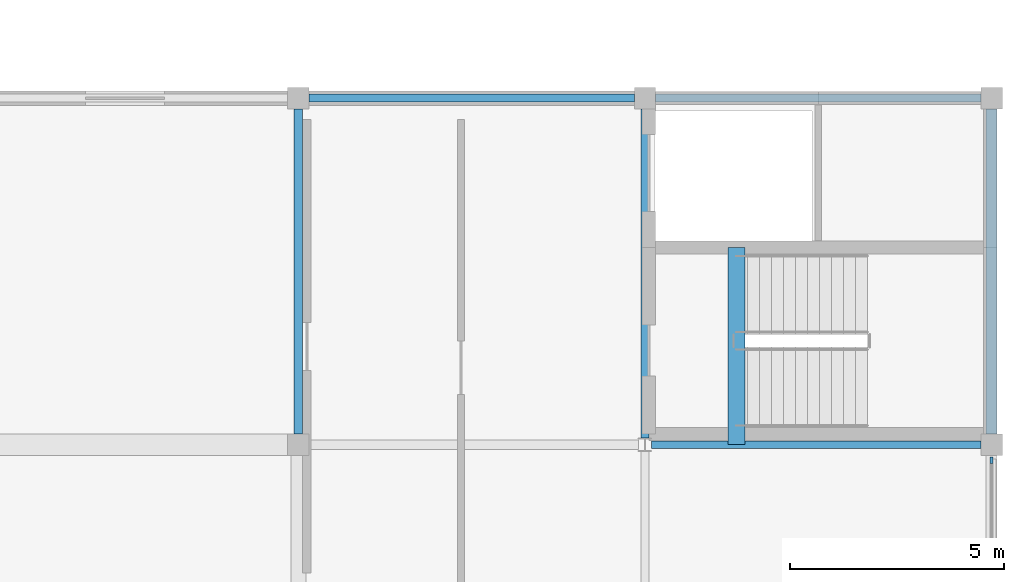
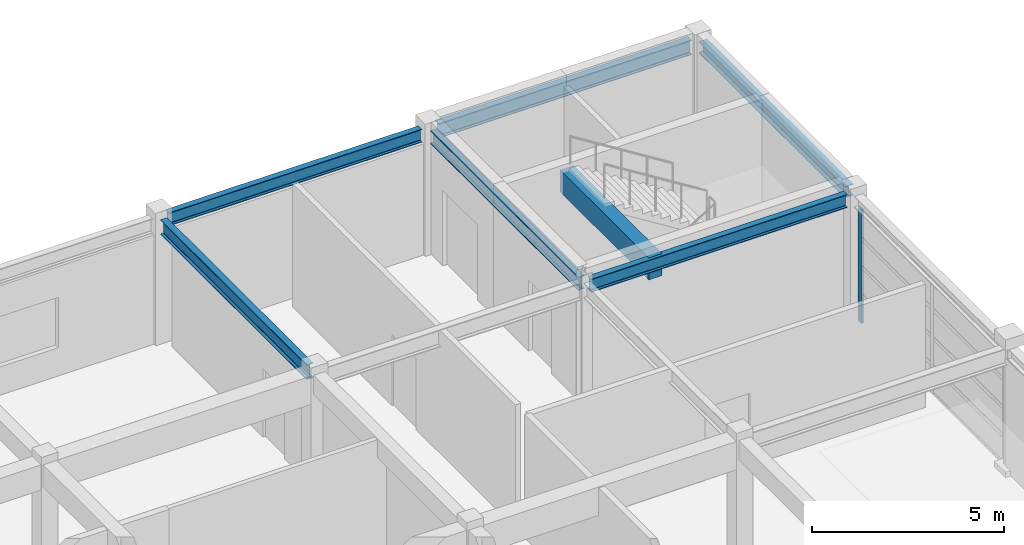
# One storey, part 34 of 54: 7 beams, 1 member, 1 element without a shape of its own.
"""IFC4 building model written with IfcOpenShell, lengths in metres."""

from ifc_helpers import new_model, si_unit, direction, frame, origin, origin_2d, place, context, subcontext, project, spatial, rectangle, i_section, extrude, material, material_profile, profile_set, type_object, element, aggregate, save


model = new_model("IFC4")

# Units and contexts
model_context = context("Model", 3, precision=1e-05, world=origin(), true_north=direction((0.0, 1.0)))
body_context = subcontext(model_context, "Body", "Model", "MODEL_VIEW")
ifc_project = project(units=[si_unit("LENGTHUNIT", "METRE"), si_unit("AREAUNIT", "SQUARE_METRE"), si_unit("VOLUMEUNIT", "CUBIC_METRE"), si_unit("PLANEANGLEUNIT", "RADIAN"), si_unit("MASSUNIT", "GRAM", prefix="KILO")], contexts=[model_context])

# Site, building, storey
site_placement = place(None, origin())
site = spatial("IfcSite", under=ifc_project, at=site_placement, CompositionType="ELEMENT")
building_placement = place(site_placement, origin())
building = spatial("IfcBuilding", under=site, at=building_placement, Name="Parian Resonance Hall", CompositionType="ELEMENT")
storey_placement = place(building_placement, frame((0.0, 0.0, 15.0)))
storey = spatial("IfcBuildingStorey", under=building, at=storey_placement, Name="L03", CompositionType="ELEMENT", Elevation=15.0)

# Beams
ifc_material_1 = material(Name="Concrete C40/50", Category="concrete")
ifc_material_profile_1 = material_profile(ifc_material_1, rectangle(XDim=0.39990234375, YDim=0.699951171875, at=origin_2d()), Name="RC-BM-400x700")
ifc_profile_set_1 = profile_set([ifc_material_profile_1], Name="Concrete C40/50")
beam_type_1 = type_object("IfcBeamType", Name="BM-RC400x700", PredefinedType="BEAM", material=ifc_profile_set_1)
beam_1_placement = place(storey_placement, frame((139.840087890625, 81.0, 3.60009765625), z_axis=(0.0, 1.0, 0.0), x_axis=(-1.0, 0.0, 0.0)))
element("IfcBeam", 1, at=beam_1_placement, inside=storey, type_object=beam_type_1, Name="Core K6 stair arrival trimmer beam L03", PredefinedType="BEAM", context=body_context, shape_type="SweptSolid", body=[
    extrude(rectangle(XDim=0.39990234375, YDim=0.699951171875, at=origin_2d()), origin(), (0.0, 0.0, 1.0), 4.610107421875),
])
ifc_material_2 = material(Name="Steel S355", Category="steel")
ifc_material_profile_2 = material_profile(ifc_material_2, i_section(OverallWidth=0.2548828125, OverallDepth=0.35693359375, WebThickness=0.010498046875, FlangeThickness=0.018310546875, FilletRadius=0.01513671875, at=origin_2d()), Name="W360x101")
ifc_profile_set_2 = profile_set([ifc_material_profile_2], Name="Steel S355")
beam_type_2 = type_object("IfcBeamType", Name="BM-W360x101", PredefinedType="SPANDREL", material=ifc_profile_set_2)
beam_2_placement = place(storey_placement, frame((145.800048828125, 81.25, 3.771484375), z_axis=(0.0, 1.0, 0.0), x_axis=(-1.0, 0.0, 0.0)))
element("IfcBeam", 2, at=beam_2_placement, inside=storey, type_object=beam_type_2, Name="GY-L03-0915", PredefinedType="SPANDREL", context=body_context, shape_type="SweptSolid", body=[
    extrude(i_section(OverallWidth=0.2548828125, OverallDepth=0.35693359375, WebThickness=0.010498046875, FlangeThickness=0.018310546875, FilletRadius=0.01513671875, at=origin_2d()), origin(), (0.0, 0.0, 1.0), 7.60009765625),
])
ifc_material_3 = material(Name="Steel S355", Category="steel")
ifc_material_profile_3 = material_profile(ifc_material_3, i_section(OverallWidth=0.180908203125, OverallDepth=0.4169921875, WebThickness=0.010986328125, FlangeThickness=0.018310546875, FilletRadius=0.01513671875, at=origin_2d()), Name="W410x85")
ifc_profile_set_3 = profile_set([ifc_material_profile_3], Name="Steel S355")
beam_type_3 = type_object("IfcBeamType", Name="BM-W410x85", PredefinedType="SPANDREL", material=ifc_profile_set_3)
beam_3_placement = place(storey_placement, frame((129.85009765625, 89.10009765625, 3.741455078125), z_axis=(1.0, 0.0, 0.0), x_axis=(0.0, 1.0, 0.0)))
element("IfcBeam", 3, at=beam_3_placement, inside=storey, type_object=beam_type_3, Name="GX-L03-0857", PredefinedType="SPANDREL", context=body_context, shape_type="SweptSolid", body=[
    extrude(i_section(OverallWidth=0.180908203125, OverallDepth=0.4169921875, WebThickness=0.010986328125, FlangeThickness=0.018310546875, FilletRadius=0.01513671875, at=origin_2d()), origin(), (0.0, 0.0, 1.0), 7.599853515625),
])
beam_4_placement = place(storey_placement, frame((137.8525390625, 81.0, 3.741455078125), z_axis=(1.0, 0.0, 0.0), x_axis=(0.0, 1.0, 0.0)))
element("IfcBeam", 4, at=beam_4_placement, inside=storey, type_object=beam_type_3, Name="GX-L03-0862", PredefinedType="SPANDREL", context=body_context, shape_type="SweptSolid", body=[
    extrude(i_section(OverallWidth=0.180908203125, OverallDepth=0.4169921875, WebThickness=0.010986328125, FlangeThickness=0.018310546875, FilletRadius=0.01513671875, at=origin_2d()), origin(), (0.0, 0.0, 1.0), 7.697509765625),
])
beam_5_placement = place(storey_placement, frame((137.699951171875, 81.154052734375, 3.741455078125), z_axis=(0.0, 1.0, 0.0), x_axis=(-1.0, 0.0, 0.0)))
element("IfcBeam", 5, at=beam_5_placement, inside=storey, type_object=beam_type_3, Name="GY-L03-0910", PredefinedType="SPANDREL", context=body_context, shape_type="SweptSolid", body=[
    extrude(i_section(OverallWidth=0.180908203125, OverallDepth=0.4169921875, WebThickness=0.010986328125, FlangeThickness=0.018310546875, FilletRadius=0.01513671875, at=origin_2d()), origin(), (0.0, 0.0, 1.0), 7.696044921875),
])
ifc_material_4 = material(Name="Steel S355", Category="steel")
ifc_material_profile_4 = material_profile(ifc_material_4, i_section(OverallWidth=0.194091796875, OverallDepth=0.468994140625, WebThickness=0.0126953125, FlangeThickness=0.0205078125, FilletRadius=0.01513671875, at=origin_2d()), Name="W460x106")
ifc_profile_set_4 = profile_set([ifc_material_profile_4], Name="Steel S355")
beam_type_4 = type_object("IfcBeamType", Name="BM-W460x106", PredefinedType="SPANDREL", material=ifc_profile_set_4)
for number, where, z_axis, x_axis, name in (
    (6, (137.949951171875, 89.10009765625, 3.715576171875), (1.0, 0.0, 0.0), (0.0, 1.0, 0.0), "GX-L03-0863"),
    (7, (129.60009765625, 81.25, 3.715576171875), (0.0, 1.0, 0.0), (-1.0, 0.0, 0.0), "GY-L03-0905"),
):
    element("IfcBeam", number, at=place(storey_placement, frame(where, z_axis=z_axis, x_axis=x_axis)), inside=storey, type_object=beam_type_4, Name=name, PredefinedType="SPANDREL", context=body_context, shape_type="SweptSolid", body=[
        extrude(i_section(OverallWidth=0.194091796875, OverallDepth=0.468994140625, WebThickness=0.0126953125, FlangeThickness=0.0205078125, FilletRadius=0.01513671875, at=origin_2d()), origin(), (0.0, 0.0, 1.0), 7.60009765625),
    ])

# Curtain wall, member
ifc_material_5 = material(Name="Bronze-anodised aluminium frame", Category="aluminium")
curtain_wall_type = type_object("IfcCurtainWallType", Name="CW-SYS-04", PredefinedType="NOTDEFINED", material=ifc_material_5)
curtain_wall_placement = place(storey_placement, origin())
curtain_wall = element("IfcCurtainWall", 8, at=curtain_wall_placement, inside=storey, type_object=curtain_wall_type, Name="Curtain wall CW-L03-149", PredefinedType="NOTDEFINED")
ifc_material_6 = material(Name="Bronze-anodised aluminium frame", Category="aluminium")
ifc_material_profile_5 = material_profile(ifc_material_6, rectangle(XDim=0.06494140625, YDim=0.159912109375, at=origin_2d()), Name="CWM-65x160")
ifc_profile_set_5 = profile_set([ifc_material_profile_5], Name="Bronze-anodised aluminium frame")
member_type = type_object("IfcMemberType", Name="CWM-65x160", PredefinedType="MULLION", material=ifc_profile_set_5)
member_placement = place(storey_placement, frame((145.800048828125, 80.637451171875, -0.008056640625), z_axis=(0.0, 0.0, 1.0), x_axis=(1.0, 0.0, 0.0)))
member = element("IfcMember", 9, at=member_placement, type_object=member_type, Name="CW-04 mullion 1", PredefinedType="MULLION", context=body_context, shape_type="SweptSolid", body=[
    extrude(rectangle(XDim=0.06494140625, YDim=0.159912109375, at=origin_2d()), origin(), (0.0, 0.0, 1.0), 3.60498046875),
])
aggregate(curtain_wall, [member])

save(model, "model.ifc")
